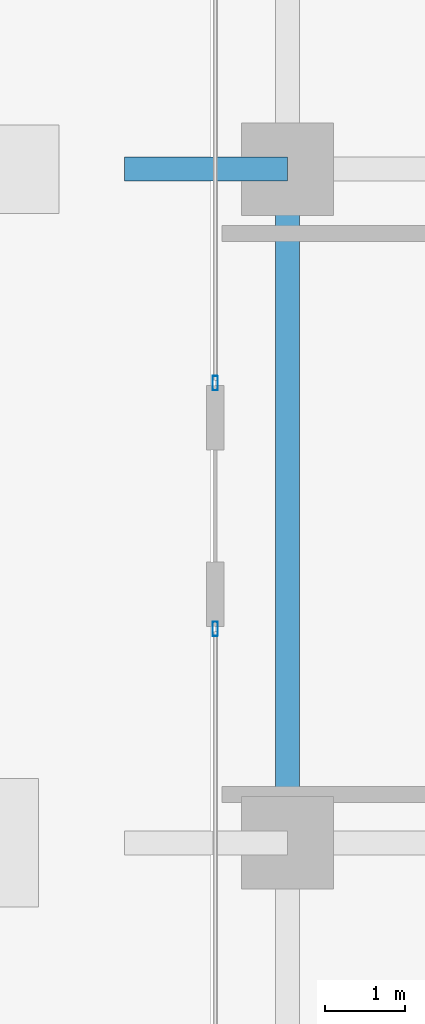
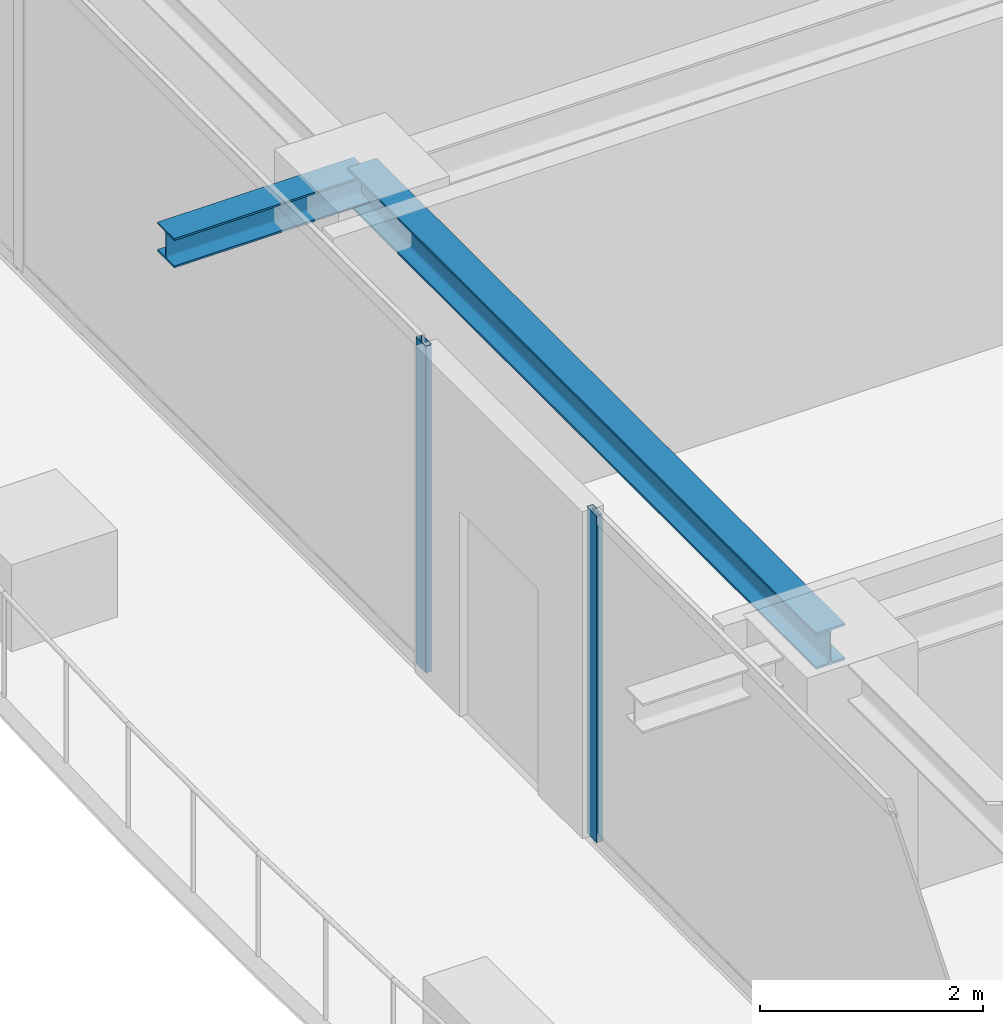
# One storey, part 10 of 36: 2 beams, 2 members, 2 elements without a shape of their own.
"""IFC4 building model written with IfcOpenShell, lengths in metres."""

from ifc_helpers import new_model, si_unit, direction, frame, origin, origin_2d, place, context, subcontext, project, spatial, hollow_rectangle, i_section, extrude, source, transform, mapped, material, layer, layer_set, material_profile, profile_set, type_object, element, aggregate, save


model = new_model("IFC4")

# Units and contexts
model_context = context("Model", 3, precision=1e-05, world=origin(), true_north=direction((0.0, 1.0)))
body_context = subcontext(model_context, "Body", "Model", "MODEL_VIEW")
ifc_project = project(units=[si_unit("LENGTHUNIT", "METRE"), si_unit("AREAUNIT", "SQUARE_METRE"), si_unit("VOLUMEUNIT", "CUBIC_METRE"), si_unit("PLANEANGLEUNIT", "RADIAN"), si_unit("MASSUNIT", "GRAM", prefix="KILO")], contexts=[model_context])

# Site, building, storey
site_placement = place(None, origin())
site = spatial("IfcSite", under=ifc_project, at=site_placement, CompositionType="ELEMENT")
building_placement = place(site_placement, origin())
building = spatial("IfcBuilding", under=site, at=building_placement, Name="Serunith Strait Residences", CompositionType="ELEMENT")
storey_placement = place(building_placement, frame((0.0, 0.0, 256.64990234375)))
storey = spatial("IfcBuildingStorey", under=building, at=storey_placement, Name="L64", CompositionType="ELEMENT", Elevation=256.64990234375)

# Beams
ifc_material_1 = material(Name="Steel S355J2", Category="steel")
ifc_material_profile_1 = material_profile(ifc_material_1, i_section(OverallWidth=0.300048828125, OverallDepth=0.39990234375, WebThickness=0.013427734375, FlangeThickness=0.02392578125, FilletRadius=0.027099609375, at=origin_2d()), Name="HEB 400")
ifc_profile_set_1 = profile_set([ifc_material_profile_1], Name="Steel S355J2")
beam_type_1 = type_object("IfcBeamType", Name="BM-HEB400", PredefinedType="BEAM", material=ifc_profile_set_1)
shared_shape_1 = source(origin(), body_context, "Body", "SweptSolid", [
    extrude(i_section(OverallWidth=0.300048828125, OverallDepth=0.39990234375, WebThickness=0.013427734375, FlangeThickness=0.02392578125, FilletRadius=0.027099609375, at=origin_2d()), origin(), (0.0, 0.0, 1.0), 8.39990234375),
])
beam_1_placement = place(storey_placement, frame((8.300048828125, 29.39990234375, 3.38720703125), z_axis=(0.0, -1.0, 0.0), x_axis=(1.0, 0.0, 0.0)))
element("IfcBeam", 1, at=beam_1_placement, inside=storey, type_object=beam_type_1, Name="L64 Perimeter Ring Beam 14", PredefinedType="BEAM", context=body_context, shape_type="MappedRepresentation", body=[
    mapped(shared_shape_1, transform((0.0, 0.0, 0.0), scale=1.0)),
])
ifc_material_profile_2 = material_profile(ifc_material_1, i_section(OverallWidth=0.300048828125, OverallDepth=0.320068359375, WebThickness=0.011474609375, FlangeThickness=0.0205078125, FilletRadius=0.027099609375, at=origin_2d()), Name="HEB 320")
ifc_profile_set_2 = profile_set([ifc_material_profile_2], Name="Steel S355J2")
beam_type_2 = type_object("IfcBeamType", Name="BM-HEB320", PredefinedType="BEAM", material=ifc_profile_set_2)
shared_shape_2 = source(origin(), body_context, "Body", "SweptSolid", [
    extrude(i_section(OverallWidth=0.300048828125, OverallDepth=0.320068359375, WebThickness=0.011474609375, FlangeThickness=0.0205078125, FilletRadius=0.027099609375, at=origin_2d()), origin(), (0.0, 0.0, 1.0), 2.030029296875),
])
beam_2_placement = place(storey_placement, frame((8.300048828125, 29.39990234375, 3.397216796875), z_axis=(-1.0, 0.0, 0.0), x_axis=(0.0, -1.0, 0.0)))
element("IfcBeam", 2, at=beam_2_placement, inside=storey, type_object=beam_type_2, Name="L65 Cantilevered Balcony Rib TC-W3", PredefinedType="BEAM", context=body_context, shape_type="MappedRepresentation", body=[
    mapped(shared_shape_2, transform((0.0, 0.0, 0.0), scale=1.0)),
])

# Curtain wall, member
ifc_material_2 = material(Name="Pale-Champagne Anodised Aluminium", Category="aluminium")
ifc_layer = layer(ifc_material_2, 0.199951171875, Name="Pale-Champagne Anodised Aluminium")
ifc_layer_set = layer_set([ifc_layer], Name="Pale-Champagne Anodised Aluminium")
curtain_wall_type = type_object("IfcCurtainWallType", Name="CW-SYS4", PredefinedType="NOTDEFINED", material=ifc_layer_set)
curtain_wall_1_placement = place(storey_placement, origin())
curtain_wall_1 = element("IfcCurtainWall", 3, at=curtain_wall_1_placement, inside=storey, type_object=curtain_wall_type, Name="L64 W Unitised Fritted Curtain Wall", PredefinedType="NOTDEFINED")
ifc_material_profile_3 = material_profile(ifc_material_2, hollow_rectangle(XDim=0.06494140625, YDim=0.179931640625, WallThickness=0.00341796875, InnerFilletRadius=0.00537109375, OuterFilletRadius=0.0087890625, at=origin_2d()), Name="ALU 180x65x3.5")
ifc_profile_set_3 = profile_set([ifc_material_profile_3], Name="Pale-Champagne Anodised Aluminium")
member_type = type_object("IfcMemberType", Name="CW-SYS4-MULL", PredefinedType="MULLION", material=ifc_profile_set_3)
shared_shape_3 = source(origin(), body_context, "Body", "SweptSolid", [
    extrude(hollow_rectangle(XDim=0.06494140625, YDim=0.179931640625, WallThickness=0.00341796875, InnerFilletRadius=0.00537109375, OuterFilletRadius=0.0087890625, at=origin_2d()), origin(), (0.0, 0.0, 1.0), 3.5751953125),
])
member_1_placement = place(storey_placement, frame((7.39990234375, 26.732421875, 0.0), z_axis=(0.0, 0.0, 1.0), x_axis=(1.0, 0.0, 0.0)))
member_1 = element("IfcMember", 4, at=member_1_placement, type_object=member_type, Name="CW-4 mullion 3", PredefinedType="MULLION", context=body_context, shape_type="MappedRepresentation", body=[
    mapped(shared_shape_3, transform((0.0, 0.0, 0.0), scale=1.0)),
])
aggregate(curtain_wall_1, [member_1])

curtain_wall_2_placement = place(storey_placement, origin())
curtain_wall_2 = element("IfcCurtainWall", 5, at=curtain_wall_2_placement, inside=storey, type_object=curtain_wall_type, Name="L64 W Unitised Fritted Curtain Wall", PredefinedType="NOTDEFINED")
member_2_placement = place(storey_placement, frame((7.39990234375, 23.66748046875, 0.0), z_axis=(0.0, 0.0, 1.0), x_axis=(1.0, 0.0, 0.0)))
member_2 = element("IfcMember", 6, at=member_2_placement, type_object=member_type, Name="CW-4 mullion 1", PredefinedType="MULLION", context=body_context, shape_type="MappedRepresentation", body=[
    mapped(shared_shape_3, transform((0.0, 0.0, 0.0), scale=1.0)),
])
aggregate(curtain_wall_2, [member_2])

save(model, "model.ifc")
